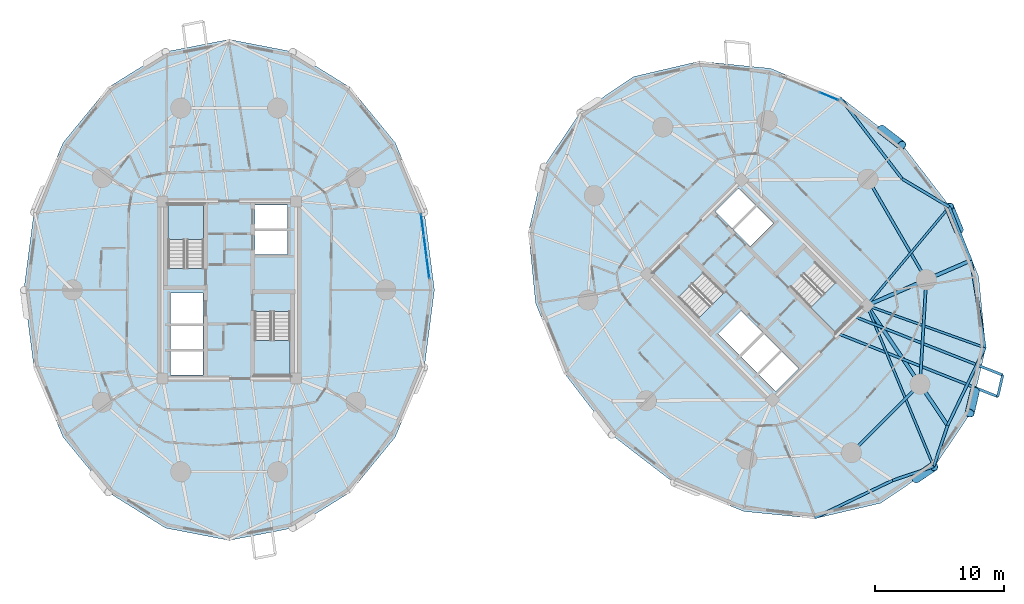
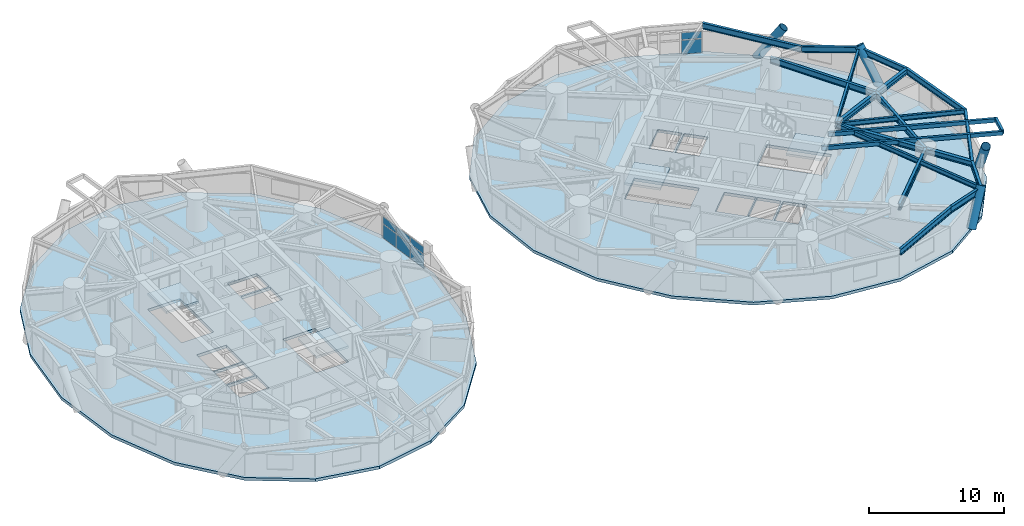
# One storey, part 8 of 18: 19 beams, 8 plates, 6 slabs, 4 members, 6 elements without a shape of their own.
"""IFC4 building model written with IfcOpenShell, lengths in metres."""

import ifcopenshell
import ifcopenshell.guid

model = None  # the IFC model being written
_history = None  # IfcOwnerHistory: only IFC2X3 demands one
_inside = {}  # id of a spatial element -> (the spatial element, [elements in it])
_under = {}  # id of a project, library or spatial element -> (it, [spatial elements below it])
_declared = {}  # id of a project -> (the project, [libraries it declares])
_typed = {}  # id of a type object -> (the type object, [elements of that type])
_made_of = {}  # id of a material, layer set ... -> (it, [elements and type objects made of it])


def new_model(schema):
    """Start an empty IFC model of exactly this schema.

    Asked for "IFC4X3", IfcOpenShell would pick the latest addendum, in which some entities
    have other attributes; the version numbers below select the first issue.
    IFC2X3 requires an IfcOwnerHistory on every rooted entity: one is made here for all.
    """
    global model, _history
    if schema == "IFC4X3":
        model = ifcopenshell.file(schema_version=(4, 3, 0, 0))
    else:
        model = ifcopenshell.file(schema=schema)
    _inside.clear()
    _under.clear()
    _declared.clear()
    _typed.clear()
    _made_of.clear()
    _history = None
    if model.schema == "IFC2X3":
        org = make("IfcOrganization", Name="unknown")
        user = make(
            "IfcPersonAndOrganization",
            ThePerson=make("IfcPerson", FamilyName="unknown"),
            TheOrganization=org,
        )
        app = make(
            "IfcApplication",
            ApplicationDeveloper=org,
            Version="unknown",
            ApplicationFullName="unknown",
            ApplicationIdentifier="unknown",
        )
        _history = make(
            "IfcOwnerHistory",
            OwningUser=user,
            OwningApplication=app,
            ChangeAction="ADDED",
            CreationDate=0,
        )
    return model


def make(cls, **values):
    """One entity of the class cls with the attributes given. An attribute that is None is left unset."""
    return model.create_entity(
        cls, **{name: value for name, value in values.items() if value is not None}
    )


def rooted(cls, **values):
    """An entity with a GlobalId (a new one), such as an element, a storey or a relation."""
    return make(cls, GlobalId=ifcopenshell.guid.new(), OwnerHistory=_history, **values)


def si_unit(unit_type, name, prefix=None):
    """IfcSIUnit, for example si_unit("LENGTHUNIT", "METRE", prefix="MILLI")."""
    return make("IfcSIUnit", UnitType=unit_type, Prefix=prefix, Name=name)


def assignment(units):
    """IfcUnitAssignment: the units of a project."""
    return None if units is None else make("IfcUnitAssignment", Units=units)


def point(xyz):
    """IfcCartesianPoint."""
    return None if xyz is None else make("IfcCartesianPoint", Coordinates=xyz)


def direction(xyz):
    """IfcDirection."""
    return None if xyz is None else make("IfcDirection", DirectionRatios=xyz)


def frame(location, z_axis=None, x_axis=None):
    """IfcAxis2Placement3D, a coordinate frame: its origin and axes. An axis left out is left unset."""
    return make(
        "IfcAxis2Placement3D",
        Location=point(location),
        Axis=direction(z_axis),
        RefDirection=direction(x_axis),
    )


def frame_2d(location, x_axis=None):
    """IfcAxis2Placement2D, a coordinate frame in the plane: its origin and x axis."""
    return make(
        "IfcAxis2Placement2D", Location=point(location), RefDirection=direction(x_axis)
    )


def origin():
    """The frame at (0, 0, 0) with its axes left unset."""
    return frame((0.0, 0.0, 0.0))


def origin_2d():
    """The frame at (0, 0) in the plane with its x axis left unset."""
    return frame_2d((0.0, 0.0))


def place(relative_to, where):
    """IfcLocalPlacement: puts the frame where relative to a parent placement (None: the world)."""
    return make(
        "IfcLocalPlacement", PlacementRelTo=relative_to, RelativePlacement=where
    )


def context(
    kind, dimensions, precision=None, world=None, true_north=None, identifier=None
):
    """IfcGeometricRepresentationContext, for example the 3D "Model" context."""
    return make(
        "IfcGeometricRepresentationContext",
        ContextIdentifier=identifier,
        ContextType=kind,
        CoordinateSpaceDimension=dimensions,
        Precision=precision,
        WorldCoordinateSystem=world,
        TrueNorth=true_north,
    )


def subcontext(parent, identifier, kind, view, scale=None):
    """IfcGeometricRepresentationSubContext, for example "Body" below "Model"."""
    return make(
        "IfcGeometricRepresentationSubContext",
        ContextIdentifier=identifier,
        ContextType=kind,
        ParentContext=parent,
        TargetScale=scale,
        TargetView=view,
    )


def project(units=None, contexts=None):
    """IfcProject with its units and contexts."""
    return rooted(
        "IfcProject",
        Name="project",
        RepresentationContexts=contexts,
        UnitsInContext=assignment(units),
    )


def spatial(cls, under=None, at=None, **own):
    """A site, building, storey or space (cls), placed at a placement, below another one or the project."""
    s = rooted(cls, ObjectPlacement=at, **own)
    if under is not None:
        _under.setdefault(under.id(), (under, []))[1].append(s)
    return s


def polyline(points):
    """IfcPolyline through the points."""
    return make("IfcPolyline", Points=[point(p) for p in points])


def profile(cls, at=None, kind="AREA", **sizes):
    """A parametric profile (cls). Its sizes go by their IFC names, for example OverallWidth=200.0."""
    return make(cls, ProfileType=kind, Position=at, **sizes)


def rectangle(**sizes):
    """IfcRectangleProfileDef."""
    return profile("IfcRectangleProfileDef", **sizes)


def hollow_rectangle(**sizes):
    """IfcRectangleHollowProfileDef."""
    return profile("IfcRectangleHollowProfileDef", **sizes)


def hollow_circle(**sizes):
    """IfcCircleHollowProfileDef."""
    return profile("IfcCircleHollowProfileDef", **sizes)


def i_section(**sizes):
    """IfcIShapeProfileDef."""
    return profile("IfcIShapeProfileDef", **sizes)


def outline(outer, holes=None, kind="AREA"):
    """IfcArbitraryClosedProfileDef: a profile drawn as a closed curve; with holes, ...WithVoids."""
    if holes is None:
        return make("IfcArbitraryClosedProfileDef", ProfileType=kind, OuterCurve=outer)
    return make(
        "IfcArbitraryProfileDefWithVoids",
        ProfileType=kind,
        OuterCurve=outer,
        InnerCurves=holes,
    )


def extrude(swept, where, along, depth):
    """IfcExtrudedAreaSolid: the profile swept, set in the frame where, extruded along a direction by depth."""
    return make(
        "IfcExtrudedAreaSolid",
        SweptArea=swept,
        Position=where,
        ExtrudedDirection=direction(along),
        Depth=depth,
    )


def shape(context_of_items, identifier, shape_type, items):
    """IfcShapeRepresentation: the items that make up one representation, for example the "Body"."""
    return make(
        "IfcShapeRepresentation",
        ContextOfItems=context_of_items,
        RepresentationIdentifier=identifier,
        RepresentationType=shape_type,
        Items=items,
    )


def source(mapping_origin, context_of_items, identifier, shape_type, items):
    """IfcRepresentationMap: a shape defined once, which mapped items show again and again."""
    return make(
        "IfcRepresentationMap",
        MappingOrigin=mapping_origin,
        MappedRepresentation=shape(context_of_items, identifier, shape_type, items),
    )


def transform(
    local_origin,
    x_axis=None,
    y_axis=None,
    z_axis=None,
    scale=None,
    scale2=None,
    scale3=None,
    uniform=True,
):
    """IfcCartesianTransformationOperator3D, or its non-uniform kind. x_axis, y_axis, z_axis: its Axis1, 2, 3."""
    if uniform:
        return make(
            "IfcCartesianTransformationOperator3D",
            Axis1=direction(x_axis),
            Axis2=direction(y_axis),
            LocalOrigin=point(local_origin),
            Scale=scale,
            Axis3=direction(z_axis),
        )
    return make(
        "IfcCartesianTransformationOperator3DnonUniform",
        Axis1=direction(x_axis),
        Axis2=direction(y_axis),
        LocalOrigin=point(local_origin),
        Scale=scale,
        Axis3=direction(z_axis),
        Scale2=scale2,
        Scale3=scale3,
    )


def mapped(mapping_source, mapping_target):
    """IfcMappedItem: shows the shape of a source again, moved by a transform."""
    return make(
        "IfcMappedItem", MappingSource=mapping_source, MappingTarget=mapping_target
    )


def material(Name=None, Category=None):
    """IfcMaterial."""
    return make("IfcMaterial", Name=Name, Category=Category)


def layer(
    of_material, thickness, ventilated=None, Name=None, Category=None, Priority=None
):
    """IfcMaterialLayer: one layer of a wall or slab, of a material (None: an air gap)."""
    return make(
        "IfcMaterialLayer",
        Material=of_material,
        LayerThickness=thickness,
        IsVentilated=ventilated,
        Name=Name,
        Category=Category,
        Priority=Priority,
    )


def layer_set(layers, Name=None):
    """IfcMaterialLayerSet."""
    return make("IfcMaterialLayerSet", MaterialLayers=layers, LayerSetName=Name)


def material_profile(
    of_material, cross_section, Name=None, Category=None, Priority=None
):
    """IfcMaterialProfile: a cross section and its material."""
    return make(
        "IfcMaterialProfile",
        Name=Name,
        Material=of_material,
        Profile=cross_section,
        Priority=Priority,
        Category=Category,
    )


def profile_set(profiles, Name=None, composite=None):
    """IfcMaterialProfileSet."""
    return make(
        "IfcMaterialProfileSet",
        Name=Name,
        MaterialProfiles=profiles,
        CompositeProfile=composite,
    )


def made_of(thing, what):
    """Note that an element or type object is made of a material, layer set ...; save() writes the relation."""
    if what is not None:
        _made_of.setdefault(what.id(), (what, []))[1].append(thing)
    return thing


def type_object(cls, material=None, **own):
    """A type object (cls), such as IfcWallType, which elements share."""
    return made_of(rooted(cls, **own), material)


def element(
    cls,
    number,
    at=None,
    inside=None,
    cuts=None,
    type_object=None,
    material=None,
    context=None,
    identifier="Body",
    shape_type=None,
    held_by="IfcProductDefinitionShape",
    body=None,
    shapes=None,
    **own,
):
    """One element of the class cls, such as IfcWall. Its Tag is "e" and its number.

    at: its placement. inside: the storey or other place that contains it. cuts: it is an
    opening in that element (IfcRelVoidsElement). A single representation is given by context,
    identifier, shape_type and body (its items); several are given by shapes. held_by: the class
    of the entity that holds the representations. save() writes the other relations.
    """
    e = rooted(cls, Tag="e%d" % number, ObjectPlacement=at, **own)
    if body is not None:
        shapes = [shape(context, identifier, shape_type, body)]
    if shapes is not None:
        e.Representation = make(held_by, Representations=shapes)
    if inside is not None:
        _inside.setdefault(inside.id(), (inside, []))[1].append(e)
    if cuts is not None:
        rooted(
            "IfcRelVoidsElement", RelatingBuildingElement=cuts, RelatedOpeningElement=e
        )
    if type_object is not None:
        _typed.setdefault(type_object.id(), (type_object, []))[1].append(e)
    return made_of(e, material)


def aggregate(whole, parts):
    """IfcRelAggregates: a whole, such as a stair, and the parts it consists of."""
    return rooted("IfcRelAggregates", RelatingObject=whole, RelatedObjects=parts)


def save(model, path):
    """Write the relations noted so far, then the file.

    IfcRelAggregates (storeys below a building ...), IfcRelContainedInSpatialStructure (elements
    in a storey), IfcRelDefinesByType, IfcRelAssociatesMaterial and IfcRelDeclares: one each for
    every whole, place, type object, material and project.
    """
    for whole, parts in _under.values():
        aggregate(whole, parts)
    for where, things in _inside.values():
        rooted(
            "IfcRelContainedInSpatialStructure",
            RelatedElements=things,
            RelatingStructure=where,
        )
    for kind, things in _typed.values():
        rooted("IfcRelDefinesByType", RelatedObjects=things, RelatingType=kind)
    for what, things in _made_of.values():
        rooted("IfcRelAssociatesMaterial", RelatedObjects=things, RelatingMaterial=what)
    for by, libraries in _declared.values():
        rooted("IfcRelDeclares", RelatingContext=by, RelatedDefinitions=libraries)
    model.write(path)


model = new_model("IFC4")

# Units and contexts
model_context = context("Model", 3, precision=1e-05, world=origin(), true_north=direction((0.0, 1.0)))
body_context = subcontext(model_context, "Body", "Model", "MODEL_VIEW")
ifc_project = project(units=[si_unit("LENGTHUNIT", "METRE"), si_unit("AREAUNIT", "SQUARE_METRE"), si_unit("VOLUMEUNIT", "CUBIC_METRE"), si_unit("PLANEANGLEUNIT", "RADIAN"), si_unit("MASSUNIT", "GRAM", prefix="KILO")], contexts=[model_context])

# Site, building, storey
site_placement = place(None, origin())
site = spatial("IfcSite", under=ifc_project, at=site_placement, CompositionType="ELEMENT")
building_placement = place(site_placement, origin())
building = spatial("IfcBuilding", under=site, at=building_placement, Name="Cununo Teusaquillo Station Towers", CompositionType="ELEMENT")
storey_placement = place(building_placement, frame((0.0, 0.0, 54.010009765625)))
storey = spatial("IfcBuildingStorey", under=building, at=storey_placement, Name="L16", CompositionType="ELEMENT", Elevation=54.010009765625)

# Beams
ifc_material_1 = material(Name="Steel EN 10025-2 S355J2", Category="steel")
ifc_material_profile_1 = material_profile(ifc_material_1, hollow_rectangle(XDim=0.199951171875, YDim=0.35009765625, WallThickness=0.013916015625, at=origin_2d()), Name="RHS 350x200x14")
ifc_profile_set_1 = profile_set([ifc_material_profile_1], Name="Steel EN 10025-2 S355J2")
beam_type_1 = type_object("IfcBeamType", Name="BM-BAL-CANT", PredefinedType="BEAM", material=ifc_profile_set_1)
beam_1_placement = place(storey_placement, frame((63.587890625, 21.18359375, 2.47509765625), z_axis=(0.930193782054, -0.367068832548, 0.0), x_axis=(0.367068832548, 0.930193782054, 0.0)))
element("IfcBeam", 1, at=beam_1_placement, inside=storey, type_object=beam_type_1, Name="L16 Tower B Balcony Cantilever Bracket 2A", PredefinedType="BEAM", context=body_context, shape_type="SweptSolid", body=[
    extrude(hollow_rectangle(XDim=0.199951171875, YDim=0.35009765625, WallThickness=0.013916015625, at=origin_2d()), origin(), (0.0, 0.0, 1.0), 13.541015625),
])
beam_2_placement = place(storey_placement, frame((64.89892578125, 22.494384765625, 2.47509765625), z_axis=(0.930195773003, -0.367063787218, 0.0), x_axis=(0.367063787218, 0.930195773003, 0.0)))
element("IfcBeam", 2, at=beam_2_placement, inside=storey, type_object=beam_type_1, Name="L16 Tower B Balcony Cantilever Bracket 2B", PredefinedType="BEAM", context=body_context, shape_type="SweptSolid", body=[
    extrude(hollow_rectangle(XDim=0.199951171875, YDim=0.35009765625, WallThickness=0.013916015625, at=origin_2d()), origin(), (0.0, 0.0, 1.0), 12.551513671875),
])
ifc_material_2 = material(Name="Steel ASTM A572 Grade 50", Category="steel")
ifc_material_profile_2 = material_profile(ifc_material_2, i_section(OverallWidth=0.180908203125, OverallDepth=0.4169921875, WebThickness=0.010986328125, FlangeThickness=0.018310546875, FilletRadius=0.012939453125, at=origin_2d()), Name="W16X57")
ifc_profile_set_2 = profile_set([ifc_material_profile_2], Name="Steel ASTM A572 Grade 50")
beam_type_2 = type_object("IfcBeamType", Name="BM-JOIST-1", PredefinedType="JOIST", material=ifc_profile_set_2)
beam_3_placement = place(storey_placement, frame((66.024169921875, 23.29443359375, 2.44140625), z_axis=(0.383107724927, -0.923703670612, 0.0), x_axis=(0.923703670612, 0.383107724927, 0.0)))
element("IfcBeam", 3, at=beam_3_placement, inside=storey, type_object=beam_type_2, Name="L16 Tower B Radial Spandrel Joist V15", PredefinedType="JOIST", context=body_context, shape_type="SweptSolid", body=[
    extrude(i_section(OverallWidth=0.180908203125, OverallDepth=0.4169921875, WebThickness=0.010986328125, FlangeThickness=0.018310546875, FilletRadius=0.012939453125, at=origin_2d()), origin(), (0.0, 0.0, 1.0), 13.5380859375),
])
beam_4_placement = place(storey_placement, frame((66.024169921875, 23.29443359375, 2.44140625), z_axis=(0.941404588136, -0.337279411522, 0.0), x_axis=(0.337279411522, 0.941404588136, 0.0)))
element("IfcBeam", 4, at=beam_4_placement, inside=storey, type_object=beam_type_2, Name="L16 Tower B Radial Spandrel Joist V17", PredefinedType="JOIST", context=body_context, shape_type="SweptSolid", body=[
    extrude(i_section(OverallWidth=0.180908203125, OverallDepth=0.4169921875, WebThickness=0.010986328125, FlangeThickness=0.018310546875, FilletRadius=0.012939453125, at=origin_2d()), origin(), (0.0, 0.0, 1.0), 9.740234375),
])
beam_5_placement = place(storey_placement, frame((66.024169921875, 23.29443359375, 2.44140625), z_axis=(0.641315728701, 0.767277092139, 0.0), x_axis=(-0.767277092139, 0.641315728701, 0.0)))
element("IfcBeam", 5, at=beam_5_placement, inside=storey, type_object=beam_type_2, Name="L16 Tower B Radial Spandrel Joist V19", PredefinedType="JOIST", context=body_context, shape_type="SweptSolid", body=[
    extrude(i_section(OverallWidth=0.180908203125, OverallDepth=0.4169921875, WebThickness=0.010986328125, FlangeThickness=0.018310546875, FilletRadius=0.012939453125, at=origin_2d()), origin(), (0.0, 0.0, 1.0), 9.97021484375),
])
ifc_material_3 = material(Name="Steel ASTM A572 Grade 50", Category="steel")
ifc_material_profile_3 = material_profile(ifc_material_3, i_section(OverallWidth=0.280029296875, OverallDepth=0.462890625, WebThickness=0.0107421875, FlangeThickness=0.017333984375, FilletRadius=0.013916015625, at=origin_2d()), Name="W18X76")
ifc_profile_set_3 = profile_set([ifc_material_profile_3], Name="Steel ASTM A572 Grade 50")
beam_type_3 = type_object("IfcBeamType", Name="BM-RAD-G1", PredefinedType="BEAM", material=ifc_profile_set_3)
beam_6_placement = place(storey_placement, frame((66.024169921875, 23.29443359375, 2.41845703125), z_axis=(0.558572297481, -0.82945583878, 0.0), x_axis=(0.82945583878, 0.558572297481, 0.0)))
element("IfcBeam", 6, at=beam_6_placement, inside=storey, type_object=beam_type_3, Name="L16 Tower B Continuous Overhanging Radial Girder 09", PredefinedType="BEAM", context=body_context, shape_type="SweptSolid", body=[
    extrude(i_section(OverallWidth=0.280029296875, OverallDepth=0.462890625, WebThickness=0.0107421875, FlangeThickness=0.017333984375, FilletRadius=0.013916015625, at=origin_2d()), origin(), (0.0, 0.0, 1.0), 11.22998046875),
])
beam_7_placement = place(storey_placement, frame((66.024169921875, 23.29443359375, 2.41845703125), z_axis=(0.917660203996, 0.397366015157, 0.0), x_axis=(-0.397366015157, 0.917660203996, 0.0)))
element("IfcBeam", 7, at=beam_7_placement, inside=storey, type_object=beam_type_3, Name="L16 Tower B Continuous Overhanging Radial Girder 10", PredefinedType="BEAM", context=body_context, shape_type="SweptSolid", body=[
    extrude(i_section(OverallWidth=0.280029296875, OverallDepth=0.462890625, WebThickness=0.0107421875, FlangeThickness=0.017333984375, FilletRadius=0.013916015625, at=origin_2d()), origin(), (0.0, 0.0, 1.0), 8.798095703125),
])
ifc_material_4 = material(Name="Steel ASTM A572 Grade 50", Category="steel")
ifc_material_profile_4 = material_profile(ifc_material_4, i_section(OverallWidth=0.214111328125, OverallDepth=0.549072265625, WebThickness=0.0146484375, FlangeThickness=0.023681640625, FilletRadius=0.014892578125, at=origin_2d()), Name="W21X93")
ifc_profile_set_4 = profile_set([ifc_material_profile_4], Name="Steel ASTM A572 Grade 50")
beam_type_4 = type_object("IfcBeamType", Name="BM-RING-Z1", PredefinedType="SPANDREL", material=ifc_profile_set_4)
beam_8_placement = place(storey_placement, frame((64.826904296875, 11.853759765625, 2.37548828125), z_axis=(0.707106781187, 0.707106781187, 0.0), x_axis=(-0.707106781187, 0.707106781187, 0.0)))
element("IfcBeam", 8, at=beam_8_placement, inside=storey, type_object=beam_type_4, Name="L16 Tower B Structural Column Ring Girder 08", PredefinedType="SPANDREL", context=body_context, shape_type="SweptSolid", body=[
    extrude(i_section(OverallWidth=0.214111328125, OverallDepth=0.549072265625, WebThickness=0.0146484375, FlangeThickness=0.023681640625, FilletRadius=0.014892578125, at=origin_2d()), origin(), (0.0, 0.0, 1.0), 7.522705078125),
])
beam_9_placement = place(storey_placement, frame((70.146240234375, 17.173095703125, 2.37548828125), z_axis=(0.06012979176, 0.998190567048, 0.0), x_axis=(-0.998190567048, 0.06012979176, 0.0)))
element("IfcBeam", 9, at=beam_9_placement, inside=storey, type_object=beam_type_4, Name="L16 Tower B Structural Column Ring Girder 09", PredefinedType="SPANDREL", context=body_context, shape_type="SweptSolid", body=[
    extrude(i_section(OverallWidth=0.214111328125, OverallDepth=0.549072265625, WebThickness=0.0146484375, FlangeThickness=0.023681640625, FilletRadius=0.014892578125, at=origin_2d()), origin(), (0.0, 0.0, 1.0), 8.132568359375),
])
beam_10_placement = place(storey_placement, frame((70.63525390625, 25.291015625, 2.37548828125), z_axis=(-0.501311121078, 0.865267103202, 0.0), x_axis=(-0.865267103202, -0.501311121078, 0.0)))
element("IfcBeam", 10, at=beam_10_placement, inside=storey, type_object=beam_type_4, Name="L16 Tower B Structural Column Ring Girder 10", PredefinedType="SPANDREL", context=body_context, shape_type="SweptSolid", body=[
    extrude(i_section(OverallWidth=0.214111328125, OverallDepth=0.549072265625, WebThickness=0.0146484375, FlangeThickness=0.023681640625, FilletRadius=0.014892578125, at=origin_2d()), origin(), (0.0, 0.0, 1.0), 9.032958984375),
])
beam_11_placement = place(storey_placement, frame((68.7529296875, 33.12939453125, 2.37548828125), z_axis=(-0.607410042696, 0.794388469222, 0.0), x_axis=(-0.794388469222, -0.607410042696, 0.0)))
element("IfcBeam", 11, at=beam_11_placement, inside=storey, type_object=beam_type_4, Name="L16 Tower B Spandrel Ring Beam 01", PredefinedType="SPANDREL", context=body_context, shape_type="SweptSolid", body=[
    extrude(i_section(OverallWidth=0.214111328125, OverallDepth=0.549072265625, WebThickness=0.0146484375, FlangeThickness=0.023681640625, FilletRadius=0.014892578125, at=origin_2d()), origin(), (0.0, 0.0, 1.0), 7.91650390625),
])
beam_12_placement = place(storey_placement, frame((61.99072265625, 6.806396484375, 2.37548828125), z_axis=(0.901374357189, 0.433040723491, 0.0), x_axis=(-0.433040723491, 0.901374357189, 0.0)))
element("IfcBeam", 12, at=beam_12_placement, inside=storey, type_object=beam_type_4, Name="L16 Tower B Spandrel Ring Beam 14", PredefinedType="SPANDREL", context=body_context, shape_type="SweptSolid", body=[
    extrude(i_section(OverallWidth=0.214111328125, OverallDepth=0.549072265625, WebThickness=0.0146484375, FlangeThickness=0.023681640625, FilletRadius=0.014892578125, at=origin_2d()), origin(), (0.0, 0.0, 1.0), 6.689208984375),
])
for number, where, z_axis, x_axis, name in (
    (13, (68.020263671875, 9.703125, 2.37548828125), (0.946642852865, 0.322284515794, 0.0), (-0.322284515794, 0.946642852865, 0.0), "L16 Tower B Spandrel Ring Beam 15"),
    (14, (71.210693359375, 10.789306640625, 2.37548828125), (0.322284515794, 0.946642852865, 0.0), (-0.946642852865, 0.322284515794, 0.0), "L16 Tower B Spandrel Ring Beam 16"),
):
    element("IfcBeam", number, at=place(storey_placement, frame(where, z_axis=z_axis, x_axis=x_axis)), inside=storey, type_object=beam_type_4, Name=name, PredefinedType="SPANDREL", context=body_context, shape_type="SweptSolid", body=[
        extrude(i_section(OverallWidth=0.214111328125, OverallDepth=0.549072265625, WebThickness=0.0146484375, FlangeThickness=0.023681640625, FilletRadius=0.014892578125, at=origin_2d()), origin(), (0.0, 0.0, 1.0), 3.370361328125),
    ])
beam_13_placement = place(storey_placement, frame((72.296875, 13.979736328125, 2.37548828125), z_axis=(0.433040723491, 0.901374357189, 0.0), x_axis=(-0.901374357189, 0.433040723491, 0.0)))
element("IfcBeam", 15, at=beam_13_placement, inside=storey, type_object=beam_type_4, Name="L16 Tower B Spandrel Ring Beam 17", PredefinedType="SPANDREL", context=body_context, shape_type="SweptSolid", body=[
    extrude(i_section(OverallWidth=0.214111328125, OverallDepth=0.549072265625, WebThickness=0.0146484375, FlangeThickness=0.023681640625, FilletRadius=0.014892578125, at=origin_2d()), origin(), (0.0, 0.0, 1.0), 6.689208984375),
])
beam_14_placement = place(storey_placement, frame((75.193603515625, 20.00927734375, 2.37548828125), z_axis=(-0.15950955411, 0.987196384793, 0.0), x_axis=(-0.987196384793, -0.15950955411, 0.0)))
element("IfcBeam", 16, at=beam_14_placement, inside=storey, type_object=beam_type_4, Name="L16 Tower B Spandrel Ring Beam 18", PredefinedType="SPANDREL", context=body_context, shape_type="SweptSolid", body=[
    extrude(i_section(OverallWidth=0.214111328125, OverallDepth=0.549072265625, WebThickness=0.0146484375, FlangeThickness=0.023681640625, FilletRadius=0.014892578125, at=origin_2d()), origin(), (0.0, 0.0, 1.0), 6.869140625),
])
beam_15_placement = place(storey_placement, frame((74.097900390625, 26.79052734375, 2.37548828125), z_axis=(-0.374882843411, 0.927072194447, 0.0), x_axis=(-0.927072194447, -0.374882843411, 0.0)))
element("IfcBeam", 17, at=beam_15_placement, inside=storey, type_object=beam_type_4, Name="L16 Tower B Spandrel Ring Beam 19", PredefinedType="SPANDREL", context=body_context, shape_type="SweptSolid", body=[
    extrude(i_section(OverallWidth=0.214111328125, OverallDepth=0.549072265625, WebThickness=0.0146484375, FlangeThickness=0.023681640625, FilletRadius=0.014892578125, at=origin_2d()), origin(), (0.0, 0.0, 1.0), 4.48046875),
])
beam_16_placement = place(storey_placement, frame((72.418212890625, 30.9443359375, 2.37548828125), z_axis=(-0.858948426011, 0.512062107027, 0.0), x_axis=(-0.512062107027, -0.858948426011, 0.0)))
element("IfcBeam", 18, at=beam_16_placement, inside=storey, type_object=beam_type_4, Name="L16 Tower B Spandrel Ring Beam 20", PredefinedType="SPANDREL", context=body_context, shape_type="SweptSolid", body=[
    extrude(i_section(OverallWidth=0.214111328125, OverallDepth=0.549072265625, WebThickness=0.0146484375, FlangeThickness=0.023681640625, FilletRadius=0.014892578125, at=origin_2d()), origin(), (0.0, 0.0, 1.0), 4.26708984375),
])
ifc_material_5 = material(Name="Steel EN 10025-2 S355J2", Category="steel")
ifc_material_profile_5 = material_profile(ifc_material_5, hollow_rectangle(XDim=0.199951171875, YDim=0.35009765625, WallThickness=0.013916015625, at=origin_2d()), Name="RHS 350x200x14")
ifc_profile_set_5 = profile_set([ifc_material_profile_5], Name="Steel EN 10025-2 S355J2")
beam_type_5 = type_object("IfcBeamType", Name="BM-STAIR-TRIM", PredefinedType="BEAM", material=ifc_profile_set_5)
beam_17_placement = place(storey_placement, frame((76.18359375, 16.213134765625, 2.52490234375), z_axis=(0.227234105214, 0.973840162156, 0.0), x_axis=(-0.973840162156, 0.227234105214, 0.0)))
element("IfcBeam", 19, at=beam_17_placement, inside=storey, type_object=beam_type_5, Name="L16 Tower B Balcony Edge Trimmer Beam 2", PredefinedType="BEAM", context=body_context, shape_type="SweptSolid", body=[
    extrude(hollow_rectangle(XDim=0.199951171875, YDim=0.35009765625, WallThickness=0.013916015625, at=origin_2d()), origin(), (0.0, 0.0, 1.0), 1.718994140625),
])

# Members
ifc_material_6 = material(Name="Steel EN 10025-2 S355J2", Category="steel")
ifc_material_profile_6 = material_profile(ifc_material_6, hollow_circle(Radius=0.360107421875, WallThickness=0.028076171875, at=origin_2d()), Name="CHS 720x28")
ifc_profile_set_6 = profile_set([ifc_material_profile_6], Name="Steel EN 10025-2 S355J2")
member_type = type_object("IfcMemberType", Name="MBR-DIAG-Z1", PredefinedType="BRACE", material=ifc_profile_set_6)
member_1_placement = place(storey_placement, frame((67.135498046875, 36.9599609375, -0.139892578125), z_axis=(0.450839843629, -0.347288106018, 0.82227392444), x_axis=(0.610249600559, 0.792209205335, 0.0)))
element("IfcMember", 20, at=member_1_placement, inside=storey, type_object=member_type, Name="L16 Tower B Folded-Zigzag Diagrid Tube C00", PredefinedType="BRACE", context=body_context, shape_type="SweptSolid", body=[
    extrude(hollow_circle(Radius=0.360107421875, WallThickness=0.028076171875, at=origin_2d()), origin(), (0.0, 0.0, 1.0), 3.538818359375),
])
member_2_placement = place(storey_placement, frame((69.830322265625, 9.85595703125, -0.139892578125), z_axis=(0.411654111311, 0.278343414846, 0.867793659836), x_axis=(-0.560131970087, 0.828403389712, 0.0)))
element("IfcMember", 21, at=member_2_placement, inside=storey, type_object=member_type, Name="L16 Tower B Folded-Zigzag Diagrid Tube C14", PredefinedType="BRACE", context=body_context, shape_type="SweptSolid", body=[
    extrude(hollow_circle(Radius=0.360107421875, WallThickness=0.028076171875, at=origin_2d()), origin(), (0.0, 0.0, 1.0), 3.353271484375),
])
member_3_placement = place(storey_placement, frame((74.40478515625, 16.62353515625, -0.139892578125), z_axis=(-0.116400503539, -0.499384090986, 0.858525743613), x_axis=(0.973894027021, -0.227003136833, 0.0)))
element("IfcMember", 22, at=member_3_placement, inside=storey, type_object=member_type, Name="L16 Tower B Folded-Zigzag Diagrid Tube C16", PredefinedType="BRACE", context=body_context, shape_type="SweptSolid", body=[
    extrude(hollow_circle(Radius=0.360107421875, WallThickness=0.028076171875, at=origin_2d()), origin(), (0.0, 0.0, 1.0), 3.389404296875),
])
member_4_placement = place(storey_placement, frame((73.160400390625, 29.138671875, -0.139892578125), z_axis=(-0.211804277744, 0.515297512564, 0.830426048167), x_axis=(-0.924916190309, -0.380171067947, 0.0)))
element("IfcMember", 23, at=member_4_placement, inside=storey, type_object=member_type, Name="L16 Tower B Folded-Zigzag Diagrid Tube C18", PredefinedType="BRACE", context=body_context, shape_type="SweptSolid", body=[
    extrude(hollow_circle(Radius=0.360107421875, WallThickness=0.028076171875, at=origin_2d()), origin(), (0.0, 0.0, 1.0), 3.504150390625),
])

# Stair, slab
ifc_material_7 = material(Name="Concrete C50/60", Category="concrete")
stair_type = type_object("IfcStairType", Name="ST-TWR-1300", PredefinedType="HALF_TURN_STAIR", material=ifc_material_7)
stair_1_placement = place(storey_placement, origin())
stair_1 = element("IfcStair", 24, at=stair_1_placement, inside=storey, type_object=stair_type, Name="L16 Tower A Protected Core Exit Stair 1", PredefinedType="HALF_TURN_STAIR")
ifc_material_8 = material(Name="Concrete C50/60", Category="concrete")
ifc_layer_1 = layer(ifc_material_8, 0.199951171875)
ifc_layer_set_1 = layer_set([ifc_layer_1], Name="Concrete C50/60")
slab_type_1 = type_object("IfcSlabType", Name="SLB-STAIR-LND", PredefinedType="LANDING", material=ifc_layer_set_1)
slab_1_placement = place(storey_placement, frame((0.0, 0.0, 1.2548828125)))
slab_1 = element("IfcSlab", 25, at=slab_1_placement, type_object=slab_type_1, Name="ST-T1-1 landing 1", PredefinedType="LANDING", context=body_context, shape_type="SweptSolid", body=[
    extrude(outline(polyline([(14.52001953125, 28.409912109375), (14.52001953125, 31.159912109375), (11.760009765625, 31.159912109375), (11.760009765625, 28.409912109375), (14.52001953125, 28.409912109375)])), origin(), (0.0, 0.0, 1.0), 0.2001953125),
])
aggregate(stair_1, [slab_1])

stair_2_placement = place(storey_placement, origin())
stair_2 = element("IfcStair", 26, at=stair_2_placement, inside=storey, type_object=stair_type, Name="L16 Tower A Protected Core Exit Stair 2", PredefinedType="HALF_TURN_STAIR")
slab_2_placement = place(storey_placement, frame((0.0, 0.0, 1.2548828125)))
slab_2 = element("IfcSlab", 27, at=slab_2_placement, type_object=slab_type_1, Name="ST-T1-2 landing 1", PredefinedType="LANDING", context=body_context, shape_type="SweptSolid", body=[
    extrude(outline(polyline([(18.47998046875, 20.590087890625), (18.47998046875, 17.840087890625), (21.239990234375, 17.840087890625), (21.239990234375, 20.590087890625), (18.47998046875, 20.590087890625)])), origin(), (0.0, 0.0, 1.0), 0.2001953125),
])
aggregate(stair_2, [slab_2])

stair_3_placement = place(storey_placement, origin())
stair_3 = element("IfcStair", 28, at=stair_3_placement, inside=storey, type_object=stair_type, Name="L16 Tower B Protected Core Exit Stair 1", PredefinedType="HALF_TURN_STAIR")
slab_3_placement = place(storey_placement, frame((0.0, 0.0, 1.2548828125)))
slab_3 = element("IfcSlab", 29, at=slab_3_placement, type_object=slab_type_1, Name="ST-T2-1 landing 1", PredefinedType="LANDING", context=body_context, shape_type="SweptSolid", body=[
    extrude(outline(polyline([(53.335205078125, 25.86474609375), (51.390625, 27.809326171875), (49.43896484375, 25.857666015625), (51.383544921875, 23.9130859375), (53.335205078125, 25.86474609375)])), origin(), (0.0, 0.0, 1.0), 0.2001953125),
])
aggregate(stair_3, [slab_3])

stair_4_placement = place(storey_placement, origin())
stair_4 = element("IfcStair", 30, at=stair_4_placement, inside=storey, type_object=stair_type, Name="L16 Tower B Protected Core Exit Stair 2", PredefinedType="HALF_TURN_STAIR")
slab_4_placement = place(storey_placement, frame((0.0, 0.0, 1.2548828125)))
slab_4 = element("IfcSlab", 31, at=slab_4_placement, type_object=slab_type_1, Name="ST-T2-2 landing 1", PredefinedType="LANDING", context=body_context, shape_type="SweptSolid", body=[
    extrude(outline(polyline([(61.664794921875, 23.13525390625), (63.609375, 21.190673828125), (65.56103515625, 23.142333984375), (63.616455078125, 25.0869140625), (61.664794921875, 23.13525390625)])), origin(), (0.0, 0.0, 1.0), 0.2001953125),
])
aggregate(stair_4, [slab_4])

# Slabs
ifc_material_9 = material(Name="Concrete C50/60", Category="concrete")
ifc_layer_2 = layer(ifc_material_9, 0.260009765625)
ifc_layer_set_2 = layer_set([ifc_layer_2], Name="Concrete C50/60")
slab_type_2 = type_object("IfcSlabType", Name="SLB-Z1-260", PredefinedType="FLOOR", material=ifc_layer_set_2)
slab_5_placement = place(storey_placement, frame((0.0, 0.0, -0.260009765625)))
element("IfcSlab", 32, at=slab_5_placement, inside=storey, type_object=slab_type_2, Name="L16 Tower A Floor Slab", PredefinedType="FLOOR", context=body_context, shape_type="SweptSolid", body=[
    extrude(outline(polyline([(32.443115234375, 24.5), (31.66259765625, 30.510498046875), (29.398193359375, 35.932373046875), (25.87109375, 40.2353515625), (21.4267578125, 42.998046875), (16.5, 43.949951171875), (11.5732421875, 42.998046875), (7.12890625, 40.2353515625), (3.601806640625, 35.932373046875), (1.33740234375, 30.510498046875), (0.556884765625, 24.5), (1.33740234375, 18.489501953125), (3.601806640625, 13.067626953125), (7.12890625, 8.7646484375), (11.5732421875, 6.001953125), (16.5, 5.050048828125), (21.4267578125, 6.001953125), (25.87109375, 8.7646484375), (29.398193359375, 13.067626953125), (31.66259765625, 18.489501953125), (32.443115234375, 24.5)]), holes=[polyline([(14.52001953125, 26.176025390625), (14.52001953125, 31.159912109375), (11.760009765625, 31.159912109375), (11.760009765625, 26.176025390625), (14.52001953125, 26.176025390625)]), polyline([(18.47998046875, 22.823974609375), (18.47998046875, 17.840087890625), (21.239990234375, 17.840087890625), (21.239990234375, 22.823974609375), (18.47998046875, 22.823974609375)]), polyline([(11.949951171875, 21.85009765625), (14.47998046875, 21.85009765625), (14.47998046875, 24.25), (11.949951171875, 24.25), (11.949951171875, 21.85009765625)]), polyline([(11.949951171875, 17.89990234375), (14.47998046875, 17.89990234375), (14.47998046875, 19.75), (11.949951171875, 19.75), (11.949951171875, 17.89990234375)]), polyline([(11.949951171875, 19.89990234375), (14.47998046875, 19.89990234375), (14.47998046875, 21.75), (11.949951171875, 21.75), (11.949951171875, 19.89990234375)]), polyline([(18.52001953125, 27.25), (21.050048828125, 27.25), (21.050048828125, 29.10009765625), (18.52001953125, 29.10009765625), (18.52001953125, 27.25)]), polyline([(18.52001953125, 29.25), (21.050048828125, 29.25), (21.050048828125, 31.10009765625), (18.52001953125, 31.10009765625), (18.52001953125, 29.25)])]), origin(), (0.0, 0.0, 1.0), 0.260009765625),
])
slab_6_placement = place(storey_placement, frame((0.0, 0.0, -0.260009765625)))
element("IfcSlab", 33, at=slab_6_placement, inside=storey, type_object=slab_type_2, Name="L16 Tower B Floor Slab", PredefinedType="FLOOR", context=body_context, shape_type="SweptSolid", body=[
    extrude(outline(polyline([(68.7734375, 35.7734375), (63.9716796875, 39.4716796875), (58.53662109375, 41.704345703125), (52.999755859375, 42.2529296875), (47.903564453125, 41.063720703125), (43.746826171875, 38.253173828125), (40.936279296875, 34.096435546875), (39.7470703125, 29.000244140625), (40.295654296875, 23.46337890625), (42.5283203125, 18.0283203125), (46.2265625, 13.2265625), (51.0283203125, 9.5283203125), (56.46337890625, 7.295654296875), (62.000244140625, 6.7470703125), (67.096435546875, 7.936279296875), (71.253173828125, 10.746826171875), (74.063720703125, 14.903564453125), (75.2529296875, 19.999755859375), (74.704345703125, 25.53662109375), (72.4716796875, 30.9716796875), (68.7734375, 35.7734375)]), holes=[polyline([(54.914794921875, 24.28515625), (51.390625, 27.809326171875), (49.43896484375, 25.857666015625), (52.963134765625, 22.33349609375), (54.914794921875, 24.28515625)]), polyline([(60.085205078125, 24.71484375), (63.609375, 21.190673828125), (65.56103515625, 23.142333984375), (62.036865234375, 26.66650390625), (60.085205078125, 24.71484375)]), polyline([(56.156494140625, 19.40869140625), (57.945556640625, 21.19775390625), (56.248291015625, 22.89501953125), (54.45947265625, 21.10595703125), (56.156494140625, 19.40869140625)]), polyline([(58.94970703125, 16.61572265625), (60.738525390625, 18.40478515625), (59.430419921875, 19.712890625), (57.641357421875, 17.923828125), (58.94970703125, 16.61572265625)]), polyline([(57.535400390625, 18.030029296875), (59.32421875, 19.819091796875), (58.01611328125, 21.127197265625), (56.227294921875, 19.338134765625), (57.535400390625, 18.030029296875)]), polyline([(56.98388671875, 27.872802734375), (58.772705078125, 29.661865234375), (57.464599609375, 30.969970703125), (55.67578125, 29.180908203125), (56.98388671875, 27.872802734375)]), polyline([(55.569580078125, 29.287109375), (57.358642578125, 31.076171875), (56.05029296875, 32.38427734375), (54.261474609375, 30.59521484375), (55.569580078125, 29.287109375)])]), origin(), (0.0, 0.0, 1.0), 0.260009765625),
])

# Curtain wall, plates
ifc_material_10 = material(Name="Operable acoustic tinted low-E double glazing", Category="glass")
ifc_layer_3 = layer(ifc_material_10, 0.179931640625)
ifc_layer_set_3 = layer_set([ifc_layer_3], Name="Operable acoustic tinted low-E double glazing")
curtain_wall_type = type_object("IfcCurtainWallType", Name="CW-SYS-03", PredefinedType="USERDEFINED", material=ifc_layer_set_3)
curtain_wall_1_placement = place(storey_placement, origin())
curtain_wall_1 = element("IfcCurtainWall", 34, at=curtain_wall_1_placement, inside=storey, type_object=curtain_wall_type, Name="L16 Tower A Facade Curtain Wall C00", ObjectType="OPERABLE GLAZING", PredefinedType="USERDEFINED")
ifc_material_11 = material(Name="Operable acoustic tinted low-E double glazing", Category="glass")
ifc_layer_4 = layer(ifc_material_11, 0.031982421875)
ifc_layer_set_4 = layer_set([ifc_layer_4], Name="Operable acoustic tinted low-E double glazing")
plate_type = type_object("IfcPlateType", Name="CWP-OPER-32", PredefinedType="CURTAIN_PANEL", material=ifc_layer_set_4)
shared_shape_1 = source(origin(), body_context, "Body", "SweptSolid", [
    extrude(rectangle(XDim=1.602783203125, YDim=0.031982421875, at=origin_2d()), origin(), (0.0, 0.0, 1.0), 1.241943359375),
])
plate_1_placement = place(storey_placement, frame((31.50830078125, 29.559814453125, 0.06982421875), z_axis=(0.0, 0.0, 1.0), x_axis=(0.128336112783, -0.99173073067, 0.0)))
plate_1 = element("IfcPlate", 35, at=plate_1_placement, type_object=plate_type, Name="CW-03 panel 1.1", PredefinedType="CURTAIN_PANEL", context=body_context, shape_type="MappedRepresentation", body=[
    mapped(shared_shape_1, transform((0.0, 0.0, 0.0), x_axis=(1.0, 0.0, 0.0), y_axis=(0.0, 1.0, 0.0), z_axis=(0.0, 0.0, 1.0), scale=1.0)),
])
plate_2_placement = place(storey_placement, frame((31.942138671875, 26.207275390625, 0.06982421875), z_axis=(0.0, 0.0, 1.0), x_axis=(0.128336112783, -0.99173073067, 0.0)))
plate_2 = element("IfcPlate", 36, at=plate_2_placement, type_object=plate_type, Name="CW-03 panel 3.1", PredefinedType="CURTAIN_PANEL", context=body_context, shape_type="MappedRepresentation", body=[
    mapped(shared_shape_1, transform((0.0, 0.0, 0.0), x_axis=(1.0, 0.0, 0.0), y_axis=(0.0, 1.0, 0.0), z_axis=(0.0, 0.0, 1.0), scale=1.0)),
])
shared_shape_2 = source(origin(), body_context, "Body", "SweptSolid", [
    extrude(rectangle(XDim=1.602783203125, YDim=0.031982421875, at=origin_2d()), origin(), (0.0, 0.0, 1.0), 0.62109375),
])
plate_3_placement = place(storey_placement, frame((31.50830078125, 29.559814453125, 1.3818359375), z_axis=(0.0, 0.0, 1.0), x_axis=(0.128336112783, -0.99173073067, 0.0)))
plate_3 = element("IfcPlate", 37, at=plate_3_placement, type_object=plate_type, Name="CW-03 panel 1.2", PredefinedType="CURTAIN_PANEL", context=body_context, shape_type="MappedRepresentation", body=[
    mapped(shared_shape_2, transform((0.0, 0.0, 0.0), x_axis=(1.0, 0.0, 0.0), y_axis=(0.0, 1.0, 0.0), z_axis=(0.0, 0.0, 1.0), scale=1.0)),
])
plate_4_placement = place(storey_placement, frame((31.942138671875, 26.207275390625, 1.3818359375), z_axis=(0.0, 0.0, 1.0), x_axis=(0.128336112783, -0.99173073067, 0.0)))
plate_4 = element("IfcPlate", 38, at=plate_4_placement, type_object=plate_type, Name="CW-03 panel 3.2", PredefinedType="CURTAIN_PANEL", context=body_context, shape_type="MappedRepresentation", body=[
    mapped(shared_shape_2, transform((0.0, 0.0, 0.0), x_axis=(1.0, 0.0, 0.0), y_axis=(0.0, 1.0, 0.0), z_axis=(0.0, 0.0, 1.0), scale=1.0)),
])
shared_shape_3 = source(origin(), body_context, "Body", "SweptSolid", [
    extrude(rectangle(XDim=1.6376953125, YDim=0.031982421875, at=origin_2d()), origin(), (0.0, 0.0, 1.0), 1.241943359375),
])
plate_5_placement = place(storey_placement, frame((31.72509765625, 27.883544921875, 0.06982421875), z_axis=(0.0, 0.0, 1.0), x_axis=(0.128336112783, -0.99173073067, 0.0)))
plate_5 = element("IfcPlate", 39, at=plate_5_placement, type_object=plate_type, Name="CW-03 panel 2.1", PredefinedType="CURTAIN_PANEL", context=body_context, shape_type="MappedRepresentation", body=[
    mapped(shared_shape_3, transform((0.0, 0.0, 0.0), x_axis=(1.0, 0.0, 0.0), y_axis=(0.0, 1.0, 0.0), z_axis=(0.0, 0.0, 1.0), scale=1.0)),
])
shared_shape_4 = source(origin(), body_context, "Body", "SweptSolid", [
    extrude(rectangle(XDim=1.6376953125, YDim=0.031982421875, at=origin_2d()), origin(), (0.0, 0.0, 1.0), 0.62109375),
])
plate_6_placement = place(storey_placement, frame((31.72509765625, 27.883544921875, 1.3818359375), z_axis=(0.0, 0.0, 1.0), x_axis=(0.128336112783, -0.99173073067, 0.0)))
plate_6 = element("IfcPlate", 40, at=plate_6_placement, type_object=plate_type, Name="CW-03 panel 2.2", PredefinedType="CURTAIN_PANEL", context=body_context, shape_type="MappedRepresentation", body=[
    mapped(shared_shape_4, transform((0.0, 0.0, 0.0), x_axis=(1.0, 0.0, 0.0), y_axis=(0.0, 1.0, 0.0), z_axis=(0.0, 0.0, 1.0), scale=1.0)),
])
aggregate(curtain_wall_1, [plate_1, plate_3, plate_5, plate_6, plate_2, plate_4])

curtain_wall_2_placement = place(storey_placement, origin())
curtain_wall_2 = element("IfcCurtainWall", 41, at=curtain_wall_2_placement, inside=storey, type_object=curtain_wall_type, Name="L16 Tower B Facade Curtain Wall C01", ObjectType="OPERABLE GLAZING", PredefinedType="USERDEFINED")
shared_shape_5 = source(origin(), body_context, "Body", "SweptSolid", [
    extrude(rectangle(XDim=1.541259765625, YDim=0.031982421875, at=origin_2d()), origin(), (0.0, 0.0, 1.0), 1.241943359375),
])
plate_7_placement = place(storey_placement, frame((63.0673828125, 39.54248046875, 0.06982421875), z_axis=(0.0, 0.0, 1.0), x_axis=(0.924572384299, -0.381006438517, 0.0)))
plate_7 = element("IfcPlate", 42, at=plate_7_placement, type_object=plate_type, Name="CW-03 panel 3.1", PredefinedType="CURTAIN_PANEL", context=body_context, shape_type="MappedRepresentation", body=[
    mapped(shared_shape_5, transform((0.0, 0.0, 0.0), x_axis=(1.0, 0.0, 0.0), y_axis=(0.0, 1.0, 0.0), z_axis=(0.0, 0.0, 1.0), scale=1.0)),
])
shared_shape_6 = source(origin(), body_context, "Body", "SweptSolid", [
    extrude(rectangle(XDim=1.541259765625, YDim=0.031982421875, at=origin_2d()), origin(), (0.0, 0.0, 1.0), 0.62109375),
])
plate_8_placement = place(storey_placement, frame((63.0673828125, 39.54248046875, 1.3818359375), z_axis=(0.0, 0.0, 1.0), x_axis=(0.924572384299, -0.381006438517, 0.0)))
plate_8 = element("IfcPlate", 43, at=plate_8_placement, type_object=plate_type, Name="CW-03 panel 3.2", PredefinedType="CURTAIN_PANEL", context=body_context, shape_type="MappedRepresentation", body=[
    mapped(shared_shape_6, transform((0.0, 0.0, 0.0), x_axis=(1.0, 0.0, 0.0), y_axis=(0.0, 1.0, 0.0), z_axis=(0.0, 0.0, 1.0), scale=1.0)),
])
aggregate(curtain_wall_2, [plate_7, plate_8])

save(model, "model.ifc")
